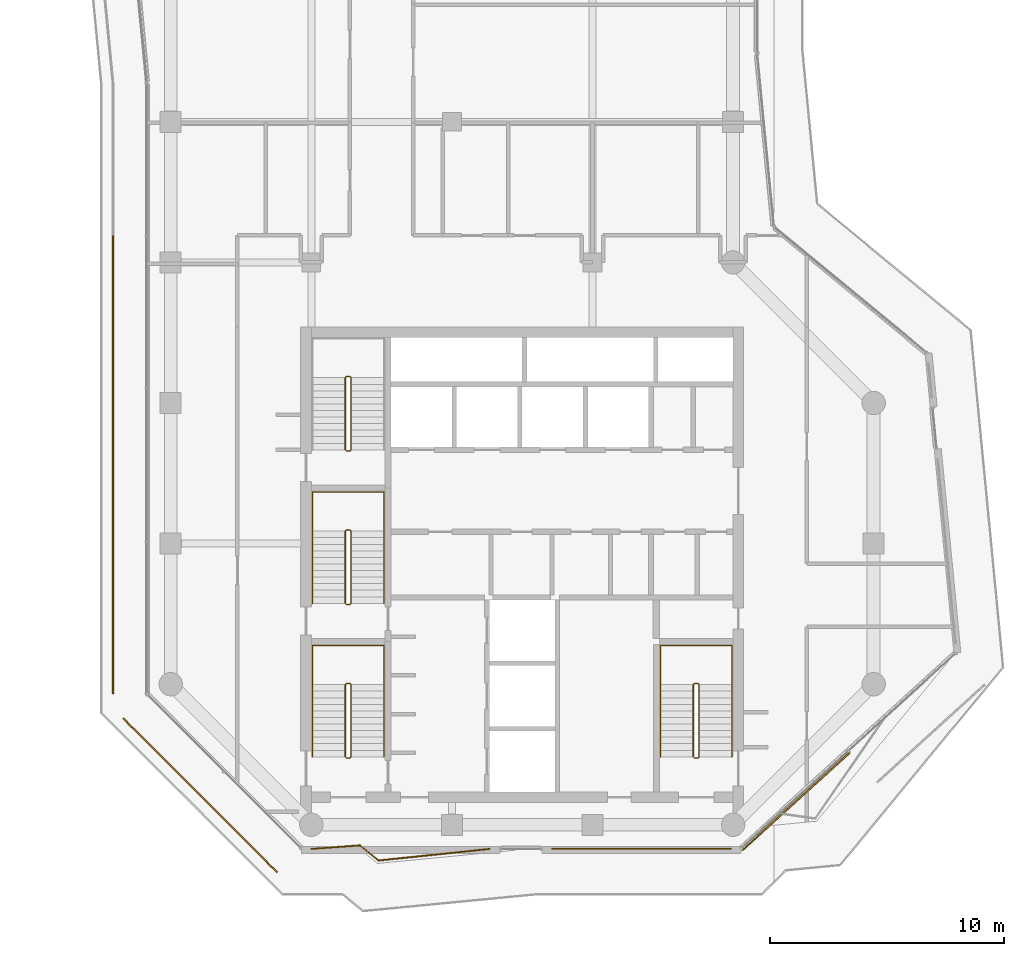
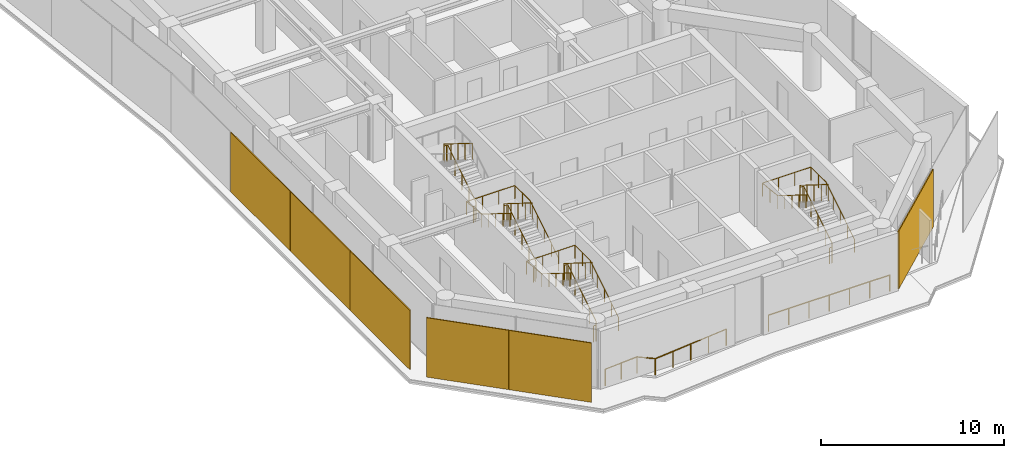
# One storey, part 22 of 23: 9 railings, 6 coverings.
"""IFC4 building model written with IfcOpenShell, lengths in metres."""

from ifc_helpers import new_model, si_unit, direction, frame, origin, origin_2d, place, context, subcontext, project, spatial, rectangle, circle, extrude, material, layer, layer_set, type_object, element, save


model = new_model("IFC4")

# Units and contexts
model_context = context("Model", 3, precision=1e-05, world=origin(), true_north=direction((0.0, 1.0)))
body_context = subcontext(model_context, "Body", "Model", "MODEL_VIEW")
ifc_project = project(units=[si_unit("LENGTHUNIT", "METRE"), si_unit("AREAUNIT", "SQUARE_METRE"), si_unit("VOLUMEUNIT", "CUBIC_METRE"), si_unit("PLANEANGLEUNIT", "RADIAN"), si_unit("MASSUNIT", "GRAM", prefix="KILO")], contexts=[model_context])

# Site, building, storey
site_placement = place(None, origin())
site = spatial("IfcSite", under=ifc_project, at=site_placement, CompositionType="ELEMENT")
building_placement = place(site_placement, origin())
building = spatial("IfcBuilding", under=site, at=building_placement, Name="Welwitschia Terrace Campus", CompositionType="ELEMENT")
storey_placement = place(building_placement, frame((0.0, 0.0, 205.39990234375)))
storey = spatial("IfcBuildingStorey", under=building, at=storey_placement, Name="L45", CompositionType="ELEMENT", Elevation=205.39990234375)

# Coverings
ifc_material_1 = material(Name="Bronze mesh aluminium screen", Category="aluminium")
ifc_layer = layer(ifc_material_1, 0.06005859375)
ifc_layer_set = layer_set([ifc_layer], Name="Bronze mesh aluminium screen")
covering_type = type_object("IfcCoveringType", Name="Bronze screen 60", PredefinedType="USERDEFINED", material=ifc_layer_set)
for number, where, z_axis, x_axis, name in (
    (1, (-2.4599609375, 25.882080078125, 0.0), (0.0, 0.0, 1.0), (0.0, -1.0, 0.0), "Screen L45.0.1"),
    (2, (-2.4599609375, 19.358642578125, 0.0), (0.0, 0.0, 1.0), (0.0, -1.0, 0.0), "Screen L45.0.2"),
    (3, (-2.4599609375, 12.835205078125, 0.0), (0.0, 0.0, 1.0), (0.0, -1.0, 0.0), "Screen L45.0.3"),
):
    element("IfcCovering", number, at=place(storey_placement, frame(where, z_axis=z_axis, x_axis=x_axis)), inside=storey, type_object=covering_type, Name=name, ObjectType="SCREEN", PredefinedType="USERDEFINED", context=body_context, shape_type="SweptSolid", body=[
        extrude(rectangle(XDim=6.50341796875, YDim=0.06005859375, at=origin_2d()), origin(), (0.0, 0.0, 1.0), 3.949951171875),
    ])
for number, where, z_axis, x_axis, name in (
    (4, (-0.390380859375, 6.911376953125, 0.0), (0.0, 0.0, 1.0), (0.707106781187, -0.707106781187, 0.0), "Screen L45.1.0"),
    (5, (2.911376953125, 3.609619140625, 0.0), (0.0, 0.0, 1.0), (0.707106781187, -0.707106781187, 0.0), "Screen L45.1.1"),
):
    element("IfcCovering", number, at=place(storey_placement, frame(where, z_axis=z_axis, x_axis=x_axis)), inside=storey, type_object=covering_type, Name=name, ObjectType="SCREEN", PredefinedType="USERDEFINED", context=body_context, shape_type="SweptSolid", body=[
        extrude(rectangle(XDim=4.6494140625, YDim=0.06005859375, at=origin_2d()), origin(), (0.0, 0.0, 1.0), 3.949951171875),
    ])
covering_placement = place(storey_placement, frame((26.691162109375, 4.993896484375, 0.0), z_axis=(0.0, 0.0, 1.0), x_axis=(0.739585904921, 0.673062173385, 0.0)))
element("IfcCovering", 6, at=covering_placement, inside=storey, type_object=covering_type, Name="Screen L45.3.0", ObjectType="SCREEN", PredefinedType="USERDEFINED", context=body_context, shape_type="SweptSolid", body=[
    extrude(rectangle(XDim=6.191650390625, YDim=0.06005859375, at=origin_2d()), origin(), (0.0, 0.0, 1.0), 3.85009765625),
])

# Railings
ifc_material_2 = material(Name="Stainless steel grade 316", Category="steel")
railing_type_1 = type_object("IfcRailingType", Name="Guard 1100", PredefinedType="GUARDRAIL", material=ifc_material_2)
railing_1_placement = place(storey_placement, frame((13.605224609375, 2.969970703125, 0.0)))
element("IfcRailing", 7, at=railing_1_placement, inside=storey, type_object=railing_type_1, Name="Guard floor edge L45.1", PredefinedType="GUARDRAIL", context=body_context, shape_type="SweptSolid", body=[
    extrude(circle(Radius=0.02392578125, at=origin_2d()), frame((0.0, 0.0, 1.076171875), z_axis=(-0.994578987635, -0.103983832178, 0.0), x_axis=(0.103983832178, -0.994578987635, 0.0)), (0.0, 0.0, 1.0), 4.7685546875),
    extrude(circle(Radius=0.02392578125, at=origin_2d()), frame((-4.74267578125, -0.495849609375, 1.076171875), z_axis=(-0.77163871758, 0.636061073743, 0.0), x_axis=(-0.636061073743, -0.77163871758, 0.0)), (0.0, 0.0, 1.0), 1.015625),
    extrude(circle(Radius=0.02392578125, at=origin_2d()), frame((-5.5263671875, 0.150146484375, 1.076171875), z_axis=(-0.997409179137, -0.07193698196, 0.0), x_axis=(0.07193698196, -0.997409179137, 0.0)), (0.0, 0.0, 1.0), 2.087158203125),
    extrude(circle(Radius=0.02099609375, at=origin_2d()), origin(), (0.0, 0.0, 1.0), 1.052001953125),
    extrude(circle(Radius=0.02099609375, at=origin_2d()), frame((-1.185546875, -0.1240234375, 0.0)), (0.0, 0.0, 1.0), 1.052001953125),
    extrude(circle(Radius=0.02099609375, at=origin_2d()), frame((-2.371337890625, -0.248046875, 0.0)), (0.0, 0.0, 1.0), 1.052001953125),
    extrude(circle(Radius=0.02099609375, at=origin_2d()), frame((-3.55712890625, -0.371826171875, 0.0)), (0.0, 0.0, 1.0), 1.052001953125),
    extrude(circle(Radius=0.02099609375, at=origin_2d()), frame((-4.74267578125, -0.495849609375, 0.0)), (0.0, 0.0, 1.0), 1.052001953125),
    extrude(circle(Radius=0.02099609375, at=origin_2d()), frame((-5.5263671875, 0.150146484375, 0.0)), (0.0, 0.0, 1.0), 1.052001953125),
    extrude(circle(Radius=0.02099609375, at=origin_2d()), frame((-6.5673828125, 0.0751953125, 0.0)), (0.0, 0.0, 1.0), 1.052001953125),
    extrude(circle(Radius=0.02099609375, at=origin_2d()), frame((-7.608154296875, 0.0, 0.0)), (0.0, 0.0, 1.0), 1.052001953125),
])
railing_2_placement = place(storey_placement, frame((23.9091796875, 2.969970703125, 0.0)))
element("IfcRailing", 8, at=railing_2_placement, inside=storey, type_object=railing_type_1, Name="Guard floor edge L45.3", PredefinedType="GUARDRAIL", context=body_context, shape_type="SweptSolid", body=[
    extrude(circle(Radius=0.02392578125, at=origin_2d()), frame((0.0, 0.0, 1.076171875), z_axis=(-1.0, 0.0, 0.0), x_axis=(0.0, -1.0, 0.0)), (0.0, 0.0, 1.0), 7.632080078125),
    extrude(circle(Radius=0.02099609375, at=origin_2d()), origin(), (0.0, 0.0, 1.0), 1.052001953125),
    extrude(circle(Radius=0.02099609375, at=origin_2d()), frame((-1.27197265625, 0.0, 0.0)), (0.0, 0.0, 1.0), 1.052001953125),
    extrude(circle(Radius=0.02099609375, at=origin_2d()), frame((-2.5439453125, 0.0, 0.0)), (0.0, 0.0, 1.0), 1.052001953125),
    extrude(circle(Radius=0.02099609375, at=origin_2d()), frame((-3.81591796875, 0.0, 0.0)), (0.0, 0.0, 1.0), 1.052001953125),
    extrude(circle(Radius=0.02099609375, at=origin_2d()), frame((-5.088134765625, 0.0, 0.0)), (0.0, 0.0, 1.0), 1.052001953125),
    extrude(circle(Radius=0.02099609375, at=origin_2d()), frame((-6.360107421875, 0.0, 0.0)), (0.0, 0.0, 1.0), 1.052001953125),
    extrude(circle(Radius=0.02099609375, at=origin_2d()), frame((-7.632080078125, 0.0, 0.0)), (0.0, 0.0, 1.0), 1.052001953125),
])
ifc_material_3 = material(Name="Steel S355", Category="steel")
railing_type_2 = type_object("IfcRailingType", Name="Stair guard 1100", PredefinedType="GUARDRAIL", material=ifc_material_3)
railing_3_placement = place(storey_placement, frame((7.5, 6.85009765625, 0.0)))
element("IfcRailing", 9, at=railing_3_placement, inside=storey, type_object=railing_type_2, Name="L45 S1 stair guard", PredefinedType="GUARDRAIL", context=body_context, shape_type="SweptSolid", body=[
    extrude(circle(Radius=0.02392578125, at=origin_2d()), frame((0.0, 0.0, 1.076171875), z_axis=(1.0, 0.0, 0.0), x_axis=(0.0, 1.0, 0.0)), (0.0, 0.0, 1.0), 0.14990234375),
    extrude(circle(Radius=0.02392578125, at=origin_2d()), frame((0.14990234375, 0.0, 1.076171875), z_axis=(0.265155923931, 0.263862480399, 0.927399011991), x_axis=(-0.705375805398, 0.708833529934, 0.0)), (0.0, 0.0, 1.0), 0.188720703125),
    extrude(circle(Radius=0.02392578125, at=origin_2d()), frame((0.199951171875, 0.0498046875, 1.2509765625), z_axis=(0.0, 0.847998304005, 0.529998940003), x_axis=(-1.0, 0.0, 0.0)), (0.0, 0.0, 1.0), 3.632080078125),
    extrude(circle(Radius=0.02392578125, at=origin_2d()), frame((0.199951171875, 3.1298828125, 3.17626953125), z_axis=(-0.707106781187, 0.707106781187, 0.0), x_axis=(-0.707106781187, -0.707106781187, 0.0)), (0.0, 0.0, 1.0), 0.07080078125),
    extrude(circle(Radius=0.02392578125, at=origin_2d()), frame((0.14990234375, 3.179931640625, 3.17626953125), z_axis=(-1.0, 0.0, 0.0), x_axis=(0.0, -1.0, 0.0)), (0.0, 0.0, 1.0), 0.14990234375),
    extrude(circle(Radius=0.02392578125, at=origin_2d()), frame((0.0, 3.179931640625, 3.17626953125), z_axis=(-0.265065253269, -0.265065253269, 0.927081885822), x_axis=(0.707106781187, -0.707106781187, 0.0)), (0.0, 0.0, 1.0), 0.188720703125),
    extrude(circle(Radius=0.02392578125, at=origin_2d()), frame((-0.050048828125, 3.1298828125, 3.35107421875), z_axis=(0.0, -0.847998304005, 0.529998940003), x_axis=(1.0, 0.0, 0.0)), (0.0, 0.0, 1.0), 3.632080078125),
    extrude(circle(Radius=0.02099609375, at=origin_2d()), origin(), (0.0, 0.0, 1.0), 1.052001953125),
    extrude(circle(Radius=0.02099609375, at=origin_2d()), frame((0.14990234375, 0.0, 0.0)), (0.0, 0.0, 1.0), 1.052001953125),
    extrude(circle(Radius=0.02099609375, at=origin_2d()), frame((0.199951171875, 0.0498046875, 0.175048828125)), (0.0, 0.0, 1.0), 1.052001953125),
    extrude(circle(Radius=0.02099609375, at=origin_2d()), frame((0.199951171875, 0.81982421875, 0.65625)), (0.0, 0.0, 1.0), 1.052001953125),
    extrude(circle(Radius=0.02099609375, at=origin_2d()), frame((0.199951171875, 1.58984375, 1.1376953125)), (0.0, 0.0, 1.0), 1.052001953125),
    extrude(circle(Radius=0.02099609375, at=origin_2d()), frame((0.199951171875, 2.35986328125, 1.618896484375)), (0.0, 0.0, 1.0), 1.052001953125),
    extrude(circle(Radius=0.02099609375, at=origin_2d()), frame((0.199951171875, 3.1298828125, 2.10009765625)), (0.0, 0.0, 1.0), 1.052001953125),
    extrude(circle(Radius=0.02099609375, at=origin_2d()), frame((0.14990234375, 3.179931640625, 2.10009765625)), (0.0, 0.0, 1.0), 1.052001953125),
    extrude(circle(Radius=0.02099609375, at=origin_2d()), frame((0.0, 3.179931640625, 2.10009765625)), (0.0, 0.0, 1.0), 1.052001953125),
    extrude(circle(Radius=0.02099609375, at=origin_2d()), frame((-0.050048828125, 3.1298828125, 2.275146484375)), (0.0, 0.0, 1.0), 1.052001953125),
    extrude(circle(Radius=0.02099609375, at=origin_2d()), frame((-0.050048828125, 2.35986328125, 2.75634765625)), (0.0, 0.0, 1.0), 1.052001953125),
    extrude(circle(Radius=0.02099609375, at=origin_2d()), frame((-0.050048828125, 1.58984375, 3.23779296875)), (0.0, 0.0, 1.0), 1.052001953125),
    extrude(circle(Radius=0.02099609375, at=origin_2d()), frame((-0.050048828125, 0.81982421875, 3.718994140625)), (0.0, 0.0, 1.0), 1.052001953125),
    extrude(circle(Radius=0.02099609375, at=origin_2d()), frame((-0.050048828125, 0.0498046875, 4.2001953125)), (0.0, 0.0, 1.0), 1.052001953125),
])
railing_4_placement = place(storey_placement, frame((7.5, 13.39990234375, 0.0)))
element("IfcRailing", 10, at=railing_4_placement, inside=storey, type_object=railing_type_2, Name="L45 S3 stair guard", PredefinedType="GUARDRAIL", context=body_context, shape_type="SweptSolid", body=[
    extrude(circle(Radius=0.02392578125, at=origin_2d()), frame((0.0, 0.0, 1.076171875), z_axis=(1.0, 0.0, 0.0), x_axis=(0.0, 1.0, 0.0)), (0.0, 0.0, 1.0), 0.14990234375),
    extrude(circle(Radius=0.02392578125, at=origin_2d()), frame((0.14990234375, 0.0, 1.076171875), z_axis=(0.265065253269, 0.265065253269, 0.927081885822), x_axis=(-0.707106781187, 0.707106781187, 0.0)), (0.0, 0.0, 1.0), 0.188720703125),
    extrude(circle(Radius=0.02392578125, at=origin_2d()), frame((0.199951171875, 0.050048828125, 1.2509765625), z_axis=(0.0, 0.847998304005, 0.529998940003), x_axis=(-1.0, 0.0, 0.0)), (0.0, 0.0, 1.0), 3.632080078125),
    extrude(circle(Radius=0.02392578125, at=origin_2d()), frame((0.199951171875, 3.130126953125, 3.17626953125), z_axis=(-0.707106781187, 0.707106781187, 0.0), x_axis=(-0.707106781187, -0.707106781187, 0.0)), (0.0, 0.0, 1.0), 0.07080078125),
    extrude(circle(Radius=0.02392578125, at=origin_2d()), frame((0.14990234375, 3.18017578125, 3.17626953125), z_axis=(-1.0, 0.0, 0.0), x_axis=(0.0, -1.0, 0.0)), (0.0, 0.0, 1.0), 0.14990234375),
    extrude(circle(Radius=0.02392578125, at=origin_2d()), frame((0.0, 3.18017578125, 3.17626953125), z_axis=(-0.265065253269, -0.265065253269, 0.927081885822), x_axis=(0.707106781187, -0.707106781187, 0.0)), (0.0, 0.0, 1.0), 0.188720703125),
    extrude(circle(Radius=0.02392578125, at=origin_2d()), frame((-0.050048828125, 3.130126953125, 3.35107421875), z_axis=(0.0, -0.847998304005, 0.529998940003), x_axis=(1.0, 0.0, 0.0)), (0.0, 0.0, 1.0), 3.632080078125),
    extrude(circle(Radius=0.02099609375, at=origin_2d()), origin(), (0.0, 0.0, 1.0), 1.052001953125),
    extrude(circle(Radius=0.02099609375, at=origin_2d()), frame((0.14990234375, 0.0, 0.0)), (0.0, 0.0, 1.0), 1.052001953125),
    extrude(circle(Radius=0.02099609375, at=origin_2d()), frame((0.199951171875, 0.050048828125, 0.175048828125)), (0.0, 0.0, 1.0), 1.052001953125),
    extrude(circle(Radius=0.02099609375, at=origin_2d()), frame((0.199951171875, 0.820068359375, 0.65625)), (0.0, 0.0, 1.0), 1.052001953125),
    extrude(circle(Radius=0.02099609375, at=origin_2d()), frame((0.199951171875, 1.590087890625, 1.1376953125)), (0.0, 0.0, 1.0), 1.052001953125),
    extrude(circle(Radius=0.02099609375, at=origin_2d()), frame((0.199951171875, 2.360107421875, 1.618896484375)), (0.0, 0.0, 1.0), 1.052001953125),
    extrude(circle(Radius=0.02099609375, at=origin_2d()), frame((0.199951171875, 3.130126953125, 2.10009765625)), (0.0, 0.0, 1.0), 1.052001953125),
    extrude(circle(Radius=0.02099609375, at=origin_2d()), frame((0.14990234375, 3.18017578125, 2.10009765625)), (0.0, 0.0, 1.0), 1.052001953125),
    extrude(circle(Radius=0.02099609375, at=origin_2d()), frame((0.0, 3.18017578125, 2.10009765625)), (0.0, 0.0, 1.0), 1.052001953125),
    extrude(circle(Radius=0.02099609375, at=origin_2d()), frame((-0.050048828125, 3.130126953125, 2.275146484375)), (0.0, 0.0, 1.0), 1.052001953125),
    extrude(circle(Radius=0.02099609375, at=origin_2d()), frame((-0.050048828125, 2.360107421875, 2.75634765625)), (0.0, 0.0, 1.0), 1.052001953125),
    extrude(circle(Radius=0.02099609375, at=origin_2d()), frame((-0.050048828125, 1.590087890625, 3.23779296875)), (0.0, 0.0, 1.0), 1.052001953125),
    extrude(circle(Radius=0.02099609375, at=origin_2d()), frame((-0.050048828125, 0.820068359375, 3.718994140625)), (0.0, 0.0, 1.0), 1.052001953125),
    extrude(circle(Radius=0.02099609375, at=origin_2d()), frame((-0.050048828125, 0.050048828125, 4.2001953125)), (0.0, 0.0, 1.0), 1.052001953125),
])
railing_5_placement = place(storey_placement, frame((7.5, 19.949951171875, 0.0)))
element("IfcRailing", 11, at=railing_5_placement, inside=storey, type_object=railing_type_2, Name="L45 S4 stair guard", PredefinedType="GUARDRAIL", context=body_context, shape_type="SweptSolid", body=[
    extrude(circle(Radius=0.02392578125, at=origin_2d()), frame((0.0, 0.0, 1.076171875), z_axis=(1.0, 0.0, 0.0), x_axis=(0.0, 1.0, 0.0)), (0.0, 0.0, 1.0), 0.14990234375),
    extrude(circle(Radius=0.02392578125, at=origin_2d()), frame((0.14990234375, 0.0, 1.076171875), z_axis=(0.265065253269, 0.265065253269, 0.927081885822), x_axis=(-0.707106781187, 0.707106781187, 0.0)), (0.0, 0.0, 1.0), 0.188720703125),
    extrude(circle(Radius=0.02392578125, at=origin_2d()), frame((0.199951171875, 0.050048828125, 1.2509765625), z_axis=(0.0, 0.847998304005, 0.529998940003), x_axis=(-1.0, 0.0, 0.0)), (0.0, 0.0, 1.0), 3.632080078125),
    extrude(circle(Radius=0.02392578125, at=origin_2d()), frame((0.199951171875, 3.130126953125, 3.17626953125), z_axis=(-0.708833529934, 0.705375805398, 0.0), x_axis=(-0.705375805398, -0.708833529934, 0.0)), (0.0, 0.0, 1.0), 0.070556640625),
    extrude(circle(Radius=0.02392578125, at=origin_2d()), frame((0.14990234375, 3.179931640625, 3.17626953125), z_axis=(-1.0, 0.0, 0.0), x_axis=(0.0, -1.0, 0.0)), (0.0, 0.0, 1.0), 0.14990234375),
    extrude(circle(Radius=0.02392578125, at=origin_2d()), frame((0.0, 3.179931640625, 3.17626953125), z_axis=(-0.265155923931, -0.263862480399, 0.927399011991), x_axis=(0.705375805398, -0.708833529934, 0.0)), (0.0, 0.0, 1.0), 0.188720703125),
    extrude(circle(Radius=0.02392578125, at=origin_2d()), frame((-0.050048828125, 3.130126953125, 3.35107421875), z_axis=(0.0, -0.847998304005, 0.529998940003), x_axis=(1.0, 0.0, 0.0)), (0.0, 0.0, 1.0), 3.632080078125),
    extrude(circle(Radius=0.02099609375, at=origin_2d()), origin(), (0.0, 0.0, 1.0), 1.052001953125),
    extrude(circle(Radius=0.02099609375, at=origin_2d()), frame((0.14990234375, 0.0, 0.0)), (0.0, 0.0, 1.0), 1.052001953125),
    extrude(circle(Radius=0.02099609375, at=origin_2d()), frame((0.199951171875, 0.050048828125, 0.175048828125)), (0.0, 0.0, 1.0), 1.052001953125),
    extrude(circle(Radius=0.02099609375, at=origin_2d()), frame((0.199951171875, 0.820068359375, 0.65625)), (0.0, 0.0, 1.0), 1.052001953125),
    extrude(circle(Radius=0.02099609375, at=origin_2d()), frame((0.199951171875, 1.590087890625, 1.1376953125)), (0.0, 0.0, 1.0), 1.052001953125),
    extrude(circle(Radius=0.02099609375, at=origin_2d()), frame((0.199951171875, 2.360107421875, 1.618896484375)), (0.0, 0.0, 1.0), 1.052001953125),
    extrude(circle(Radius=0.02099609375, at=origin_2d()), frame((0.199951171875, 3.130126953125, 2.10009765625)), (0.0, 0.0, 1.0), 1.052001953125),
    extrude(circle(Radius=0.02099609375, at=origin_2d()), frame((0.14990234375, 3.179931640625, 2.10009765625)), (0.0, 0.0, 1.0), 1.052001953125),
    extrude(circle(Radius=0.02099609375, at=origin_2d()), frame((0.0, 3.179931640625, 2.10009765625)), (0.0, 0.0, 1.0), 1.052001953125),
    extrude(circle(Radius=0.02099609375, at=origin_2d()), frame((-0.050048828125, 3.130126953125, 2.275146484375)), (0.0, 0.0, 1.0), 1.052001953125),
    extrude(circle(Radius=0.02099609375, at=origin_2d()), frame((-0.050048828125, 2.360107421875, 2.75634765625)), (0.0, 0.0, 1.0), 1.052001953125),
    extrude(circle(Radius=0.02099609375, at=origin_2d()), frame((-0.050048828125, 1.590087890625, 3.23779296875)), (0.0, 0.0, 1.0), 1.052001953125),
    extrude(circle(Radius=0.02099609375, at=origin_2d()), frame((-0.050048828125, 0.820068359375, 3.718994140625)), (0.0, 0.0, 1.0), 1.052001953125),
    extrude(circle(Radius=0.02099609375, at=origin_2d()), frame((-0.050048828125, 0.050048828125, 4.2001953125)), (0.0, 0.0, 1.0), 1.052001953125),
])
railing_6_placement = place(storey_placement, frame((22.35009765625, 6.85009765625, 0.0)))
element("IfcRailing", 12, at=railing_6_placement, inside=storey, type_object=railing_type_2, Name="L45 S2 stair guard", PredefinedType="GUARDRAIL", context=body_context, shape_type="SweptSolid", body=[
    extrude(circle(Radius=0.02392578125, at=origin_2d()), frame((0.0, 0.0, 1.076171875), z_axis=(1.0, 0.0, 0.0), x_axis=(0.0, 1.0, 0.0)), (0.0, 0.0, 1.0), 0.14990234375),
    extrude(circle(Radius=0.02392578125, at=origin_2d()), frame((0.14990234375, 0.0, 1.076171875), z_axis=(0.265155923931, 0.263862480399, 0.927399011991), x_axis=(-0.705375805398, 0.708833529934, 0.0)), (0.0, 0.0, 1.0), 0.188720703125),
    extrude(circle(Radius=0.02392578125, at=origin_2d()), frame((0.199951171875, 0.0498046875, 1.2509765625), z_axis=(0.0, 0.847998304005, 0.529998940003), x_axis=(-1.0, 0.0, 0.0)), (0.0, 0.0, 1.0), 3.632080078125),
    extrude(circle(Radius=0.02392578125, at=origin_2d()), frame((0.199951171875, 3.1298828125, 3.17626953125), z_axis=(-0.707106781187, 0.707106781187, 0.0), x_axis=(-0.707106781187, -0.707106781187, 0.0)), (0.0, 0.0, 1.0), 0.07080078125),
    extrude(circle(Radius=0.02392578125, at=origin_2d()), frame((0.14990234375, 3.179931640625, 3.17626953125), z_axis=(-1.0, 0.0, 0.0), x_axis=(0.0, -1.0, 0.0)), (0.0, 0.0, 1.0), 0.14990234375),
    extrude(circle(Radius=0.02392578125, at=origin_2d()), frame((0.0, 3.179931640625, 3.17626953125), z_axis=(-0.265065253269, -0.265065253269, 0.927081885822), x_axis=(0.707106781187, -0.707106781187, 0.0)), (0.0, 0.0, 1.0), 0.188720703125),
    extrude(circle(Radius=0.02392578125, at=origin_2d()), frame((-0.050048828125, 3.1298828125, 3.35107421875), z_axis=(0.0, -0.847998304005, 0.529998940003), x_axis=(1.0, 0.0, 0.0)), (0.0, 0.0, 1.0), 3.632080078125),
    extrude(circle(Radius=0.02099609375, at=origin_2d()), origin(), (0.0, 0.0, 1.0), 1.052001953125),
    extrude(circle(Radius=0.02099609375, at=origin_2d()), frame((0.14990234375, 0.0, 0.0)), (0.0, 0.0, 1.0), 1.052001953125),
    extrude(circle(Radius=0.02099609375, at=origin_2d()), frame((0.199951171875, 0.0498046875, 0.175048828125)), (0.0, 0.0, 1.0), 1.052001953125),
    extrude(circle(Radius=0.02099609375, at=origin_2d()), frame((0.199951171875, 0.81982421875, 0.65625)), (0.0, 0.0, 1.0), 1.052001953125),
    extrude(circle(Radius=0.02099609375, at=origin_2d()), frame((0.199951171875, 1.58984375, 1.1376953125)), (0.0, 0.0, 1.0), 1.052001953125),
    extrude(circle(Radius=0.02099609375, at=origin_2d()), frame((0.199951171875, 2.35986328125, 1.618896484375)), (0.0, 0.0, 1.0), 1.052001953125),
    extrude(circle(Radius=0.02099609375, at=origin_2d()), frame((0.199951171875, 3.1298828125, 2.10009765625)), (0.0, 0.0, 1.0), 1.052001953125),
    extrude(circle(Radius=0.02099609375, at=origin_2d()), frame((0.14990234375, 3.179931640625, 2.10009765625)), (0.0, 0.0, 1.0), 1.052001953125),
    extrude(circle(Radius=0.02099609375, at=origin_2d()), frame((0.0, 3.179931640625, 2.10009765625)), (0.0, 0.0, 1.0), 1.052001953125),
    extrude(circle(Radius=0.02099609375, at=origin_2d()), frame((-0.050048828125, 3.1298828125, 2.275146484375)), (0.0, 0.0, 1.0), 1.052001953125),
    extrude(circle(Radius=0.02099609375, at=origin_2d()), frame((-0.050048828125, 2.35986328125, 2.75634765625)), (0.0, 0.0, 1.0), 1.052001953125),
    extrude(circle(Radius=0.02099609375, at=origin_2d()), frame((-0.050048828125, 1.58984375, 3.23779296875)), (0.0, 0.0, 1.0), 1.052001953125),
    extrude(circle(Radius=0.02099609375, at=origin_2d()), frame((-0.050048828125, 0.81982421875, 3.718994140625)), (0.0, 0.0, 1.0), 1.052001953125),
    extrude(circle(Radius=0.02099609375, at=origin_2d()), frame((-0.050048828125, 0.0498046875, 4.2001953125)), (0.0, 0.0, 1.0), 1.052001953125),
])
ifc_material_4 = material(Name="Steel S355", Category="steel")
railing_type_3 = type_object("IfcRailingType", Name="Stair handrail 900", PredefinedType="HANDRAIL", material=ifc_material_4)
railing_7_placement = place(storey_placement, frame((9.10009765625, 6.89990234375, 0.175048828125)))
element("IfcRailing", 13, at=railing_7_placement, inside=storey, type_object=railing_type_3, Name="L45 S1 stair handrail", PredefinedType="HANDRAIL", context=body_context, shape_type="SweptSolid", body=[
    extrude(circle(Radius=0.02392578125, at=origin_2d()), frame((0.0, 0.0, 0.8759765625), z_axis=(0.0, 0.847998304005, 0.529998940003), x_axis=(-1.0, 0.0, 0.0)), (0.0, 0.0, 1.0), 3.632080078125),
    extrude(circle(Radius=0.02392578125, at=origin_2d()), frame((0.0, 3.080078125, 2.80078125), z_axis=(0.0, 1.0, 0.0), x_axis=(-1.0, 0.0, 0.0)), (0.0, 0.0, 1.0), 1.669921875),
    extrude(circle(Radius=0.02392578125, at=origin_2d()), frame((0.0, 4.75, 2.80078125), z_axis=(-1.0, 0.0, 0.0), x_axis=(0.0, -1.0, 0.0)), (0.0, 0.0, 1.0), 3.050048828125),
    extrude(circle(Radius=0.02392578125, at=origin_2d()), frame((-3.050048828125, 4.75, 2.80078125), z_axis=(0.0, -0.99455077262, 0.104253348533), x_axis=(1.0, 0.0, 0.0)), (0.0, 0.0, 1.0), 1.678955078125),
    extrude(circle(Radius=0.02392578125, at=origin_2d()), frame((-3.050048828125, 3.080078125, 2.97607421875), z_axis=(0.0, -0.847998304005, 0.529998940003), x_axis=(1.0, 0.0, 0.0)), (0.0, 0.0, 1.0), 3.632080078125),
    extrude(circle(Radius=0.02099609375, at=origin_2d()), origin(), (0.0, 0.0, 1.0), 0.851806640625),
    extrude(circle(Radius=0.02099609375, at=origin_2d()), frame((0.0, 0.77001953125, 0.481201171875)), (0.0, 0.0, 1.0), 0.851806640625),
    extrude(circle(Radius=0.02099609375, at=origin_2d()), frame((0.0, 1.5400390625, 0.96240234375)), (0.0, 0.0, 1.0), 0.851806640625),
    extrude(circle(Radius=0.02099609375, at=origin_2d()), frame((0.0, 2.31005859375, 1.44384765625)), (0.0, 0.0, 1.0), 0.851806640625),
    extrude(circle(Radius=0.02099609375, at=origin_2d()), frame((0.0, 3.080078125, 1.925048828125)), (0.0, 0.0, 1.0), 0.851806640625),
    extrude(circle(Radius=0.02099609375, at=origin_2d()), frame((0.0, 3.9150390625, 1.925048828125)), (0.0, 0.0, 1.0), 0.851806640625),
    extrude(circle(Radius=0.02099609375, at=origin_2d()), frame((0.0, 4.75, 1.925048828125)), (0.0, 0.0, 1.0), 0.851806640625),
    extrude(circle(Radius=0.02099609375, at=origin_2d()), frame((-1.0166015625, 4.75, 1.925048828125)), (0.0, 0.0, 1.0), 0.851806640625),
    extrude(circle(Radius=0.02099609375, at=origin_2d()), frame((-2.033447265625, 4.75, 1.925048828125)), (0.0, 0.0, 1.0), 0.851806640625),
    extrude(circle(Radius=0.02099609375, at=origin_2d()), frame((-3.050048828125, 4.75, 1.925048828125)), (0.0, 0.0, 1.0), 0.851806640625),
    extrude(circle(Radius=0.02099609375, at=origin_2d()), frame((-3.050048828125, 3.9150390625, 2.0126953125)), (0.0, 0.0, 1.0), 0.851806640625),
    extrude(circle(Radius=0.02099609375, at=origin_2d()), frame((-3.050048828125, 3.080078125, 2.10009765625)), (0.0, 0.0, 1.0), 0.851806640625),
    extrude(circle(Radius=0.02099609375, at=origin_2d()), frame((-3.050048828125, 2.31005859375, 2.581298828125)), (0.0, 0.0, 1.0), 0.851806640625),
    extrude(circle(Radius=0.02099609375, at=origin_2d()), frame((-3.050048828125, 1.5400390625, 3.0625)), (0.0, 0.0, 1.0), 0.851806640625),
    extrude(circle(Radius=0.02099609375, at=origin_2d()), frame((-3.050048828125, 0.77001953125, 3.5439453125)), (0.0, 0.0, 1.0), 0.851806640625),
    extrude(circle(Radius=0.02099609375, at=origin_2d()), frame((-3.050048828125, 0.0, 4.025146484375)), (0.0, 0.0, 1.0), 0.851806640625),
])
railing_8_placement = place(storey_placement, frame((9.10009765625, 13.449951171875, 0.175048828125)))
element("IfcRailing", 14, at=railing_8_placement, inside=storey, type_object=railing_type_3, Name="L45 S3 stair handrail", PredefinedType="HANDRAIL", context=body_context, shape_type="SweptSolid", body=[
    extrude(circle(Radius=0.02392578125, at=origin_2d()), frame((0.0, 0.0, 0.8759765625), z_axis=(0.0, 0.847998304005, 0.529998940003), x_axis=(-1.0, 0.0, 0.0)), (0.0, 0.0, 1.0), 3.632080078125),
    extrude(circle(Radius=0.02392578125, at=origin_2d()), frame((0.0, 3.080078125, 2.80078125), z_axis=(0.0, 1.0, 0.0), x_axis=(-1.0, 0.0, 0.0)), (0.0, 0.0, 1.0), 1.669921875),
    extrude(circle(Radius=0.02392578125, at=origin_2d()), frame((0.0, 4.75, 2.80078125), z_axis=(-1.0, 0.0, 0.0), x_axis=(0.0, -1.0, 0.0)), (0.0, 0.0, 1.0), 3.050048828125),
    extrude(circle(Radius=0.02392578125, at=origin_2d()), frame((-3.050048828125, 4.75, 2.80078125), z_axis=(0.0, -0.99455077262, 0.104253348533), x_axis=(1.0, 0.0, 0.0)), (0.0, 0.0, 1.0), 1.678955078125),
    extrude(circle(Radius=0.02392578125, at=origin_2d()), frame((-3.050048828125, 3.080078125, 2.97607421875), z_axis=(0.0, -0.847998304005, 0.529998940003), x_axis=(1.0, 0.0, 0.0)), (0.0, 0.0, 1.0), 3.632080078125),
    extrude(circle(Radius=0.02099609375, at=origin_2d()), origin(), (0.0, 0.0, 1.0), 0.851806640625),
    extrude(circle(Radius=0.02099609375, at=origin_2d()), frame((0.0, 0.77001953125, 0.481201171875)), (0.0, 0.0, 1.0), 0.851806640625),
    extrude(circle(Radius=0.02099609375, at=origin_2d()), frame((0.0, 1.5400390625, 0.96240234375)), (0.0, 0.0, 1.0), 0.851806640625),
    extrude(circle(Radius=0.02099609375, at=origin_2d()), frame((0.0, 2.31005859375, 1.44384765625)), (0.0, 0.0, 1.0), 0.851806640625),
    extrude(circle(Radius=0.02099609375, at=origin_2d()), frame((0.0, 3.080078125, 1.925048828125)), (0.0, 0.0, 1.0), 0.851806640625),
    extrude(circle(Radius=0.02099609375, at=origin_2d()), frame((0.0, 3.9150390625, 1.925048828125)), (0.0, 0.0, 1.0), 0.851806640625),
    extrude(circle(Radius=0.02099609375, at=origin_2d()), frame((0.0, 4.75, 1.925048828125)), (0.0, 0.0, 1.0), 0.851806640625),
    extrude(circle(Radius=0.02099609375, at=origin_2d()), frame((-1.0166015625, 4.75, 1.925048828125)), (0.0, 0.0, 1.0), 0.851806640625),
    extrude(circle(Radius=0.02099609375, at=origin_2d()), frame((-2.033447265625, 4.75, 1.925048828125)), (0.0, 0.0, 1.0), 0.851806640625),
    extrude(circle(Radius=0.02099609375, at=origin_2d()), frame((-3.050048828125, 4.75, 1.925048828125)), (0.0, 0.0, 1.0), 0.851806640625),
    extrude(circle(Radius=0.02099609375, at=origin_2d()), frame((-3.050048828125, 3.9150390625, 2.0126953125)), (0.0, 0.0, 1.0), 0.851806640625),
    extrude(circle(Radius=0.02099609375, at=origin_2d()), frame((-3.050048828125, 3.080078125, 2.10009765625)), (0.0, 0.0, 1.0), 0.851806640625),
    extrude(circle(Radius=0.02099609375, at=origin_2d()), frame((-3.050048828125, 2.31005859375, 2.581298828125)), (0.0, 0.0, 1.0), 0.851806640625),
    extrude(circle(Radius=0.02099609375, at=origin_2d()), frame((-3.050048828125, 1.5400390625, 3.0625)), (0.0, 0.0, 1.0), 0.851806640625),
    extrude(circle(Radius=0.02099609375, at=origin_2d()), frame((-3.050048828125, 0.77001953125, 3.5439453125)), (0.0, 0.0, 1.0), 0.851806640625),
    extrude(circle(Radius=0.02099609375, at=origin_2d()), frame((-3.050048828125, 0.0, 4.025146484375)), (0.0, 0.0, 1.0), 0.851806640625),
])
railing_9_placement = place(storey_placement, frame((23.949951171875, 6.89990234375, 0.175048828125)))
element("IfcRailing", 15, at=railing_9_placement, inside=storey, type_object=railing_type_3, Name="L45 S2 stair handrail", PredefinedType="HANDRAIL", context=body_context, shape_type="SweptSolid", body=[
    extrude(circle(Radius=0.02392578125, at=origin_2d()), frame((0.0, 0.0, 0.8759765625), z_axis=(0.0, 0.847998304005, 0.529998940003), x_axis=(-1.0, 0.0, 0.0)), (0.0, 0.0, 1.0), 3.632080078125),
    extrude(circle(Radius=0.02392578125, at=origin_2d()), frame((0.0, 3.080078125, 2.80078125), z_axis=(0.0, 1.0, 0.0), x_axis=(-1.0, 0.0, 0.0)), (0.0, 0.0, 1.0), 1.669921875),
    extrude(circle(Radius=0.02392578125, at=origin_2d()), frame((0.0, 4.75, 2.80078125), z_axis=(-1.0, 0.0, 0.0), x_axis=(0.0, -1.0, 0.0)), (0.0, 0.0, 1.0), 3.050048828125),
    extrude(circle(Radius=0.02392578125, at=origin_2d()), frame((-3.050048828125, 4.75, 2.80078125), z_axis=(0.0, -0.99455077262, 0.104253348533), x_axis=(1.0, 0.0, 0.0)), (0.0, 0.0, 1.0), 1.678955078125),
    extrude(circle(Radius=0.02392578125, at=origin_2d()), frame((-3.050048828125, 3.080078125, 2.97607421875), z_axis=(0.0, -0.847998304005, 0.529998940003), x_axis=(1.0, 0.0, 0.0)), (0.0, 0.0, 1.0), 3.632080078125),
    extrude(circle(Radius=0.02099609375, at=origin_2d()), origin(), (0.0, 0.0, 1.0), 0.851806640625),
    extrude(circle(Radius=0.02099609375, at=origin_2d()), frame((0.0, 0.77001953125, 0.481201171875)), (0.0, 0.0, 1.0), 0.851806640625),
    extrude(circle(Radius=0.02099609375, at=origin_2d()), frame((0.0, 1.5400390625, 0.96240234375)), (0.0, 0.0, 1.0), 0.851806640625),
    extrude(circle(Radius=0.02099609375, at=origin_2d()), frame((0.0, 2.31005859375, 1.44384765625)), (0.0, 0.0, 1.0), 0.851806640625),
    extrude(circle(Radius=0.02099609375, at=origin_2d()), frame((0.0, 3.080078125, 1.925048828125)), (0.0, 0.0, 1.0), 0.851806640625),
    extrude(circle(Radius=0.02099609375, at=origin_2d()), frame((0.0, 3.9150390625, 1.925048828125)), (0.0, 0.0, 1.0), 0.851806640625),
    extrude(circle(Radius=0.02099609375, at=origin_2d()), frame((0.0, 4.75, 1.925048828125)), (0.0, 0.0, 1.0), 0.851806640625),
    extrude(circle(Radius=0.02099609375, at=origin_2d()), frame((-1.0166015625, 4.75, 1.925048828125)), (0.0, 0.0, 1.0), 0.851806640625),
    extrude(circle(Radius=0.02099609375, at=origin_2d()), frame((-2.033447265625, 4.75, 1.925048828125)), (0.0, 0.0, 1.0), 0.851806640625),
    extrude(circle(Radius=0.02099609375, at=origin_2d()), frame((-3.050048828125, 4.75, 1.925048828125)), (0.0, 0.0, 1.0), 0.851806640625),
    extrude(circle(Radius=0.02099609375, at=origin_2d()), frame((-3.050048828125, 3.9150390625, 2.0126953125)), (0.0, 0.0, 1.0), 0.851806640625),
    extrude(circle(Radius=0.02099609375, at=origin_2d()), frame((-3.050048828125, 3.080078125, 2.10009765625)), (0.0, 0.0, 1.0), 0.851806640625),
    extrude(circle(Radius=0.02099609375, at=origin_2d()), frame((-3.050048828125, 2.31005859375, 2.581298828125)), (0.0, 0.0, 1.0), 0.851806640625),
    extrude(circle(Radius=0.02099609375, at=origin_2d()), frame((-3.050048828125, 1.5400390625, 3.0625)), (0.0, 0.0, 1.0), 0.851806640625),
    extrude(circle(Radius=0.02099609375, at=origin_2d()), frame((-3.050048828125, 0.77001953125, 3.5439453125)), (0.0, 0.0, 1.0), 0.851806640625),
    extrude(circle(Radius=0.02099609375, at=origin_2d()), frame((-3.050048828125, 0.0, 4.025146484375)), (0.0, 0.0, 1.0), 0.851806640625),
])

save(model, "model.ifc")
